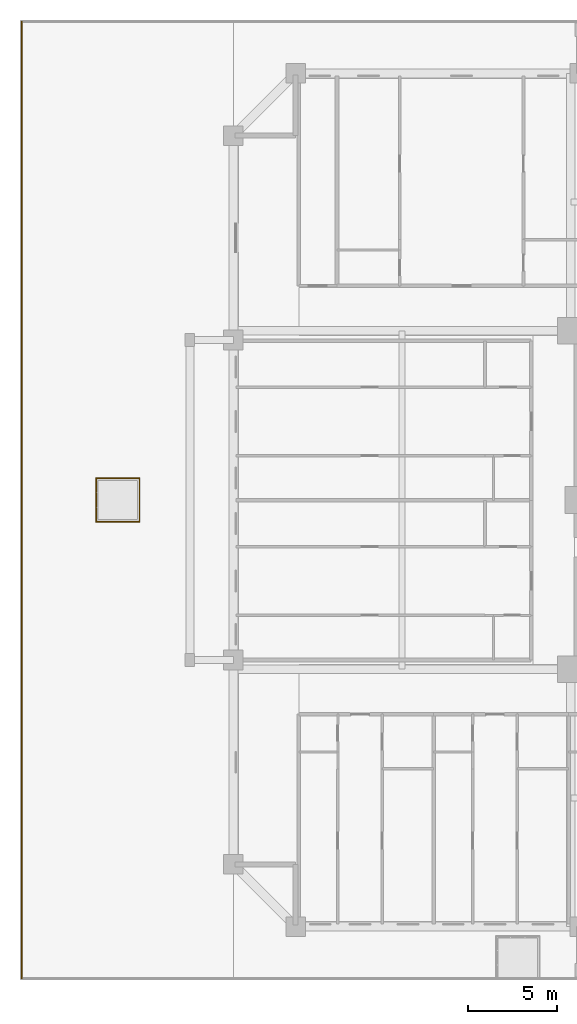
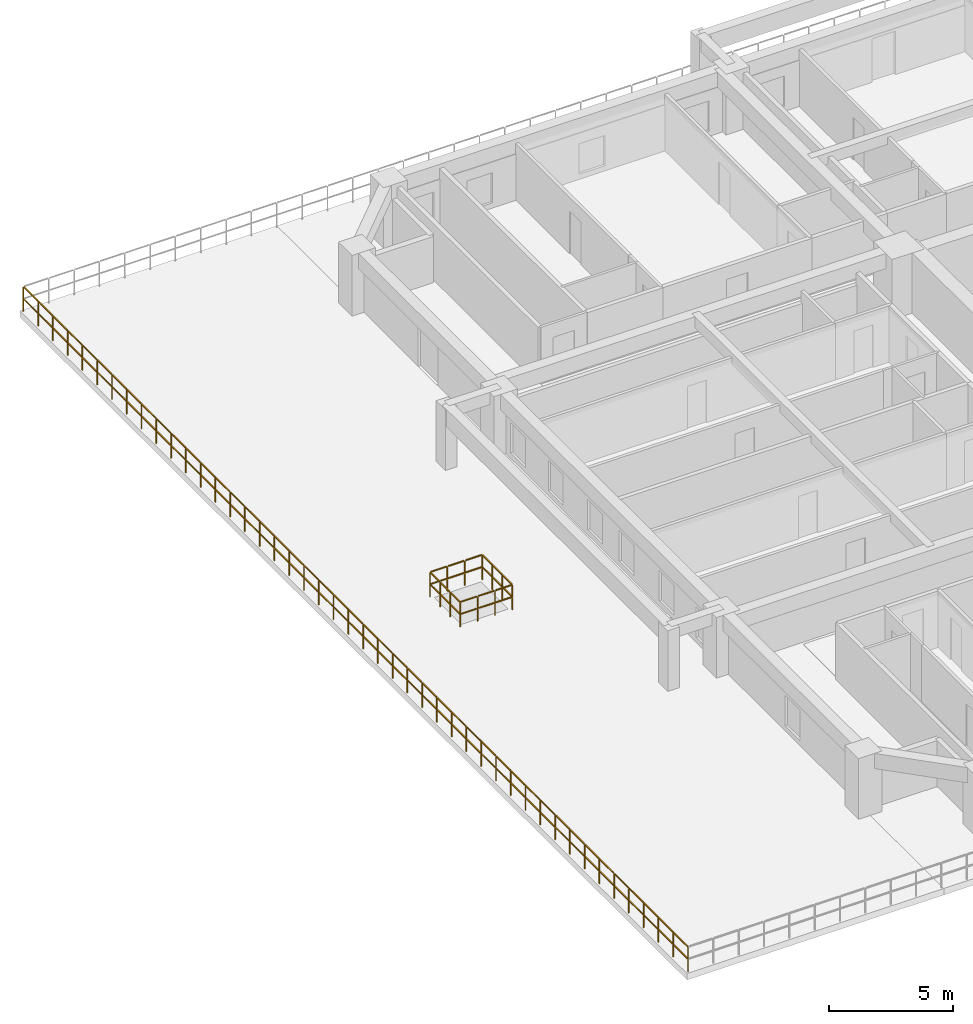
# One storey, part 13 of 19: 5 railings.
"""IFC4 building model written with IfcOpenShell, lengths in metres."""

from ifc_helpers import new_model, si_unit, direction, frame, origin, origin_2d, place, context, subcontext, project, spatial, rectangle, extrude, material, type_object, element, save


model = new_model("IFC4")

# Units and contexts
model_context = context("Model", 3, precision=1e-05, world=origin(), true_north=direction((0.0, 1.0)))
body_context = subcontext(model_context, "Body", "Model", "MODEL_VIEW")
ifc_project = project(units=[si_unit("LENGTHUNIT", "METRE"), si_unit("AREAUNIT", "SQUARE_METRE"), si_unit("VOLUMEUNIT", "CUBIC_METRE"), si_unit("PLANEANGLEUNIT", "RADIAN"), si_unit("MASSUNIT", "GRAM", prefix="KILO")], contexts=[model_context])

# Site, building, storey
site_placement = place(None, origin())
site = spatial("IfcSite", under=ifc_project, at=site_placement, CompositionType="ELEMENT")
building_placement = place(site_placement, origin())
building = spatial("IfcBuilding", under=site, at=building_placement, Name="Saelheon Loggia Tower", CompositionType="ELEMENT")
storey_placement = place(building_placement, frame((0.0, 0.0, 19.39990234375)))
storey = spatial("IfcBuildingStorey", under=building, at=storey_placement, Name="L05", CompositionType="ELEMENT", Elevation=19.39990234375)

# Railings
ifc_material = material(Name="Stainless Steel 316L Post and Laminated Glass Guardrail", Category="steel")
railing_type = type_object("IfcRailingType", Name="Guard_Terrace_1250", PredefinedType="GUARDRAIL", material=ifc_material)
railing_1_placement = place(storey_placement, frame((0.10009765625, 0.10009765625, 0.0)))
element("IfcRailing", 1, at=railing_1_placement, inside=storey, type_object=railing_type, Name="L05 Raised Garden West Perimeter Guardrail", PredefinedType="GUARDRAIL", context=body_context, shape_type="SweptSolid", body=[
    extrude(rectangle(XDim=0.048095703125, YDim=0.048095703125, at=origin_2d()), frame((0.0, 0.033203125, 1.22607421875), z_axis=(0.0, 1.0, 0.0), x_axis=(-1.0, 0.0, 0.0)), (0.0, 0.0, 1.0), 1.129150390625),
    extrude(rectangle(XDim=0.048095703125, YDim=0.048095703125, at=origin_2d()), frame((0.0, 0.033203125, 0.625), z_axis=(0.0, 1.0, 0.0), x_axis=(-1.0, 0.0, 0.0)), (0.0, 0.0, 1.0), 1.129150390625),
    extrude(rectangle(XDim=0.048095703125, YDim=0.048095703125, at=origin_2d()), frame((0.0, 1.228759765625, 1.22607421875), z_axis=(0.0, 1.0, 0.0), x_axis=(-1.0, 0.0, 0.0)), (0.0, 0.0, 1.0), 1.129150390625),
    extrude(rectangle(XDim=0.048095703125, YDim=0.048095703125, at=origin_2d()), frame((0.0, 1.228759765625, 0.625), z_axis=(0.0, 1.0, 0.0), x_axis=(-1.0, 0.0, 0.0)), (0.0, 0.0, 1.0), 1.129150390625),
    extrude(rectangle(XDim=0.048095703125, YDim=0.048095703125, at=origin_2d()), frame((0.0, 2.42431640625, 1.22607421875), z_axis=(0.0, 1.0, 0.0), x_axis=(-1.0, 0.0, 0.0)), (0.0, 0.0, 1.0), 1.129150390625),
    extrude(rectangle(XDim=0.048095703125, YDim=0.048095703125, at=origin_2d()), frame((0.0, 2.42431640625, 0.625), z_axis=(0.0, 1.0, 0.0), x_axis=(-1.0, 0.0, 0.0)), (0.0, 0.0, 1.0), 1.129150390625),
    extrude(rectangle(XDim=0.048095703125, YDim=0.048095703125, at=origin_2d()), frame((0.0, 3.619873046875, 1.22607421875), z_axis=(0.0, 1.0, 0.0), x_axis=(-1.0, 0.0, 0.0)), (0.0, 0.0, 1.0), 1.129150390625),
    extrude(rectangle(XDim=0.048095703125, YDim=0.048095703125, at=origin_2d()), frame((0.0, 3.619873046875, 0.625), z_axis=(0.0, 1.0, 0.0), x_axis=(-1.0, 0.0, 0.0)), (0.0, 0.0, 1.0), 1.129150390625),
    extrude(rectangle(XDim=0.048095703125, YDim=0.048095703125, at=origin_2d()), frame((0.0, 4.8154296875, 1.22607421875), z_axis=(0.0, 1.0, 0.0), x_axis=(-1.0, 0.0, 0.0)), (0.0, 0.0, 1.0), 1.129150390625),
    extrude(rectangle(XDim=0.048095703125, YDim=0.048095703125, at=origin_2d()), frame((0.0, 4.8154296875, 0.625), z_axis=(0.0, 1.0, 0.0), x_axis=(-1.0, 0.0, 0.0)), (0.0, 0.0, 1.0), 1.129150390625),
    extrude(rectangle(XDim=0.048095703125, YDim=0.048095703125, at=origin_2d()), frame((0.0, 6.010986328125, 1.22607421875), z_axis=(0.0, 1.0, 0.0), x_axis=(-1.0, 0.0, 0.0)), (0.0, 0.0, 1.0), 1.129150390625),
    extrude(rectangle(XDim=0.048095703125, YDim=0.048095703125, at=origin_2d()), frame((0.0, 6.010986328125, 0.625), z_axis=(0.0, 1.0, 0.0), x_axis=(-1.0, 0.0, 0.0)), (0.0, 0.0, 1.0), 1.129150390625),
    extrude(rectangle(XDim=0.048095703125, YDim=0.048095703125, at=origin_2d()), frame((0.0, 7.20654296875, 1.22607421875), z_axis=(0.0, 1.0, 0.0), x_axis=(-1.0, 0.0, 0.0)), (0.0, 0.0, 1.0), 1.129150390625),
    extrude(rectangle(XDim=0.048095703125, YDim=0.048095703125, at=origin_2d()), frame((0.0, 7.20654296875, 0.625), z_axis=(0.0, 1.0, 0.0), x_axis=(-1.0, 0.0, 0.0)), (0.0, 0.0, 1.0), 1.129150390625),
    extrude(rectangle(XDim=0.048095703125, YDim=0.048095703125, at=origin_2d()), frame((0.0, 8.402099609375, 1.22607421875), z_axis=(0.0, 1.0, 0.0), x_axis=(-1.0, 0.0, 0.0)), (0.0, 0.0, 1.0), 1.129150390625),
    extrude(rectangle(XDim=0.048095703125, YDim=0.048095703125, at=origin_2d()), frame((0.0, 8.402099609375, 0.625), z_axis=(0.0, 1.0, 0.0), x_axis=(-1.0, 0.0, 0.0)), (0.0, 0.0, 1.0), 1.129150390625),
    extrude(rectangle(XDim=0.048095703125, YDim=0.048095703125, at=origin_2d()), frame((0.0, 9.59765625, 1.22607421875), z_axis=(0.0, 1.0, 0.0), x_axis=(-1.0, 0.0, 0.0)), (0.0, 0.0, 1.0), 1.129150390625),
    extrude(rectangle(XDim=0.048095703125, YDim=0.048095703125, at=origin_2d()), frame((0.0, 9.59765625, 0.625), z_axis=(0.0, 1.0, 0.0), x_axis=(-1.0, 0.0, 0.0)), (0.0, 0.0, 1.0), 1.129150390625),
    extrude(rectangle(XDim=0.048095703125, YDim=0.048095703125, at=origin_2d()), frame((0.0, 10.793212890625, 1.22607421875), z_axis=(0.0, 1.0, 0.0), x_axis=(-1.0, 0.0, 0.0)), (0.0, 0.0, 1.0), 1.129150390625),
    extrude(rectangle(XDim=0.048095703125, YDim=0.048095703125, at=origin_2d()), frame((0.0, 10.793212890625, 0.625), z_axis=(0.0, 1.0, 0.0), x_axis=(-1.0, 0.0, 0.0)), (0.0, 0.0, 1.0), 1.129150390625),
    extrude(rectangle(XDim=0.048095703125, YDim=0.048095703125, at=origin_2d()), frame((0.0, 11.98876953125, 1.22607421875), z_axis=(0.0, 1.0, 0.0), x_axis=(-1.0, 0.0, 0.0)), (0.0, 0.0, 1.0), 1.129150390625),
    extrude(rectangle(XDim=0.048095703125, YDim=0.048095703125, at=origin_2d()), frame((0.0, 11.98876953125, 0.625), z_axis=(0.0, 1.0, 0.0), x_axis=(-1.0, 0.0, 0.0)), (0.0, 0.0, 1.0), 1.129150390625),
    extrude(rectangle(XDim=0.048095703125, YDim=0.048095703125, at=origin_2d()), frame((0.0, 13.184326171875, 1.22607421875), z_axis=(0.0, 1.0, 0.0), x_axis=(-1.0, 0.0, 0.0)), (0.0, 0.0, 1.0), 1.129150390625),
    extrude(rectangle(XDim=0.048095703125, YDim=0.048095703125, at=origin_2d()), frame((0.0, 13.184326171875, 0.625), z_axis=(0.0, 1.0, 0.0), x_axis=(-1.0, 0.0, 0.0)), (0.0, 0.0, 1.0), 1.129150390625),
    extrude(rectangle(XDim=0.048095703125, YDim=0.048095703125, at=origin_2d()), frame((0.0, 14.3798828125, 1.22607421875), z_axis=(0.0, 1.0, 0.0), x_axis=(-1.0, 0.0, 0.0)), (0.0, 0.0, 1.0), 1.129150390625),
    extrude(rectangle(XDim=0.048095703125, YDim=0.048095703125, at=origin_2d()), frame((0.0, 14.3798828125, 0.625), z_axis=(0.0, 1.0, 0.0), x_axis=(-1.0, 0.0, 0.0)), (0.0, 0.0, 1.0), 1.129150390625),
    extrude(rectangle(XDim=0.048095703125, YDim=0.048095703125, at=origin_2d()), frame((0.0, 15.575439453125, 1.22607421875), z_axis=(0.0, 1.0, 0.0), x_axis=(-1.0, 0.0, 0.0)), (0.0, 0.0, 1.0), 1.129150390625),
    extrude(rectangle(XDim=0.048095703125, YDim=0.048095703125, at=origin_2d()), frame((0.0, 15.575439453125, 0.625), z_axis=(0.0, 1.0, 0.0), x_axis=(-1.0, 0.0, 0.0)), (0.0, 0.0, 1.0), 1.129150390625),
    extrude(rectangle(XDim=0.048095703125, YDim=0.048095703125, at=origin_2d()), frame((0.0, 16.77099609375, 1.22607421875), z_axis=(0.0, 1.0, 0.0), x_axis=(-1.0, 0.0, 0.0)), (0.0, 0.0, 1.0), 1.129150390625),
    extrude(rectangle(XDim=0.048095703125, YDim=0.048095703125, at=origin_2d()), frame((0.0, 16.77099609375, 0.625), z_axis=(0.0, 1.0, 0.0), x_axis=(-1.0, 0.0, 0.0)), (0.0, 0.0, 1.0), 1.129150390625),
    extrude(rectangle(XDim=0.048095703125, YDim=0.048095703125, at=origin_2d()), frame((0.0, 17.966552734375, 1.22607421875), z_axis=(0.0, 1.0, 0.0), x_axis=(-1.0, 0.0, 0.0)), (0.0, 0.0, 1.0), 1.129150390625),
    extrude(rectangle(XDim=0.048095703125, YDim=0.048095703125, at=origin_2d()), frame((0.0, 17.966552734375, 0.625), z_axis=(0.0, 1.0, 0.0), x_axis=(-1.0, 0.0, 0.0)), (0.0, 0.0, 1.0), 1.129150390625),
    extrude(rectangle(XDim=0.048095703125, YDim=0.048095703125, at=origin_2d()), frame((0.0, 19.162109375, 1.22607421875), z_axis=(0.0, 1.0, 0.0), x_axis=(-1.0, 0.0, 0.0)), (0.0, 0.0, 1.0), 1.129150390625),
    extrude(rectangle(XDim=0.048095703125, YDim=0.048095703125, at=origin_2d()), frame((0.0, 19.162109375, 0.625), z_axis=(0.0, 1.0, 0.0), x_axis=(-1.0, 0.0, 0.0)), (0.0, 0.0, 1.0), 1.129150390625),
    extrude(rectangle(XDim=0.048095703125, YDim=0.048095703125, at=origin_2d()), frame((0.0, 20.357666015625, 1.22607421875), z_axis=(0.0, 1.0, 0.0), x_axis=(-1.0, 0.0, 0.0)), (0.0, 0.0, 1.0), 1.129150390625),
    extrude(rectangle(XDim=0.048095703125, YDim=0.048095703125, at=origin_2d()), frame((0.0, 20.357666015625, 0.625), z_axis=(0.0, 1.0, 0.0), x_axis=(-1.0, 0.0, 0.0)), (0.0, 0.0, 1.0), 1.129150390625),
    extrude(rectangle(XDim=0.048095703125, YDim=0.048095703125, at=origin_2d()), frame((0.0, 21.55322265625, 1.22607421875), z_axis=(0.0, 1.0, 0.0), x_axis=(-1.0, 0.0, 0.0)), (0.0, 0.0, 1.0), 1.129150390625),
    extrude(rectangle(XDim=0.048095703125, YDim=0.048095703125, at=origin_2d()), frame((0.0, 21.55322265625, 0.625), z_axis=(0.0, 1.0, 0.0), x_axis=(-1.0, 0.0, 0.0)), (0.0, 0.0, 1.0), 1.129150390625),
    extrude(rectangle(XDim=0.048095703125, YDim=0.048095703125, at=origin_2d()), frame((0.0, 22.748779296875, 1.22607421875), z_axis=(0.0, 1.0, 0.0), x_axis=(-1.0, 0.0, 0.0)), (0.0, 0.0, 1.0), 1.129150390625),
    extrude(rectangle(XDim=0.048095703125, YDim=0.048095703125, at=origin_2d()), frame((0.0, 22.748779296875, 0.625), z_axis=(0.0, 1.0, 0.0), x_axis=(-1.0, 0.0, 0.0)), (0.0, 0.0, 1.0), 1.129150390625),
    extrude(rectangle(XDim=0.048095703125, YDim=0.048095703125, at=origin_2d()), frame((0.0, 23.9443359375, 1.22607421875), z_axis=(0.0, 1.0, 0.0), x_axis=(-1.0, 0.0, 0.0)), (0.0, 0.0, 1.0), 1.129150390625),
    extrude(rectangle(XDim=0.048095703125, YDim=0.048095703125, at=origin_2d()), frame((0.0, 23.9443359375, 0.625), z_axis=(0.0, 1.0, 0.0), x_axis=(-1.0, 0.0, 0.0)), (0.0, 0.0, 1.0), 1.129150390625),
    extrude(rectangle(XDim=0.048095703125, YDim=0.048095703125, at=origin_2d()), frame((0.0, 25.139892578125, 1.22607421875), z_axis=(0.0, 1.0, 0.0), x_axis=(-1.0, 0.0, 0.0)), (0.0, 0.0, 1.0), 1.129150390625),
    extrude(rectangle(XDim=0.048095703125, YDim=0.048095703125, at=origin_2d()), frame((0.0, 25.139892578125, 0.625), z_axis=(0.0, 1.0, 0.0), x_axis=(-1.0, 0.0, 0.0)), (0.0, 0.0, 1.0), 1.129150390625),
    extrude(rectangle(XDim=0.048095703125, YDim=0.048095703125, at=origin_2d()), frame((0.0, 26.33544921875, 1.22607421875), z_axis=(0.0, 1.0, 0.0), x_axis=(-1.0, 0.0, 0.0)), (0.0, 0.0, 1.0), 1.129150390625),
    extrude(rectangle(XDim=0.048095703125, YDim=0.048095703125, at=origin_2d()), frame((0.0, 26.33544921875, 0.625), z_axis=(0.0, 1.0, 0.0), x_axis=(-1.0, 0.0, 0.0)), (0.0, 0.0, 1.0), 1.129150390625),
    extrude(rectangle(XDim=0.048095703125, YDim=0.048095703125, at=origin_2d()), frame((0.0, 27.531005859375, 1.22607421875), z_axis=(0.0, 1.0, 0.0), x_axis=(-1.0, 0.0, 0.0)), (0.0, 0.0, 1.0), 1.129150390625),
    extrude(rectangle(XDim=0.048095703125, YDim=0.048095703125, at=origin_2d()), frame((0.0, 27.531005859375, 0.625), z_axis=(0.0, 1.0, 0.0), x_axis=(-1.0, 0.0, 0.0)), (0.0, 0.0, 1.0), 1.129150390625),
    extrude(rectangle(XDim=0.048095703125, YDim=0.048095703125, at=origin_2d()), frame((0.0, 28.7265625, 1.22607421875), z_axis=(0.0, 1.0, 0.0), x_axis=(-1.0, 0.0, 0.0)), (0.0, 0.0, 1.0), 1.129150390625),
    extrude(rectangle(XDim=0.048095703125, YDim=0.048095703125, at=origin_2d()), frame((0.0, 28.7265625, 0.625), z_axis=(0.0, 1.0, 0.0), x_axis=(-1.0, 0.0, 0.0)), (0.0, 0.0, 1.0), 1.129150390625),
    extrude(rectangle(XDim=0.048095703125, YDim=0.048095703125, at=origin_2d()), frame((0.0, 29.922119140625, 1.22607421875), z_axis=(0.0, 1.0, 0.0), x_axis=(-1.0, 0.0, 0.0)), (0.0, 0.0, 1.0), 1.129150390625),
    extrude(rectangle(XDim=0.048095703125, YDim=0.048095703125, at=origin_2d()), frame((0.0, 29.922119140625, 0.625), z_axis=(0.0, 1.0, 0.0), x_axis=(-1.0, 0.0, 0.0)), (0.0, 0.0, 1.0), 1.129150390625),
    extrude(rectangle(XDim=0.048095703125, YDim=0.048095703125, at=origin_2d()), frame((0.0, 31.11767578125, 1.22607421875), z_axis=(0.0, 1.0, 0.0), x_axis=(-1.0, 0.0, 0.0)), (0.0, 0.0, 1.0), 1.129150390625),
    extrude(rectangle(XDim=0.048095703125, YDim=0.048095703125, at=origin_2d()), frame((0.0, 31.11767578125, 0.625), z_axis=(0.0, 1.0, 0.0), x_axis=(-1.0, 0.0, 0.0)), (0.0, 0.0, 1.0), 1.129150390625),
    extrude(rectangle(XDim=0.048095703125, YDim=0.048095703125, at=origin_2d()), frame((0.0, 32.313232421875, 1.22607421875), z_axis=(0.0, 1.0, 0.0), x_axis=(-1.0, 0.0, 0.0)), (0.0, 0.0, 1.0), 1.129150390625),
    extrude(rectangle(XDim=0.048095703125, YDim=0.048095703125, at=origin_2d()), frame((0.0, 32.313232421875, 0.625), z_axis=(0.0, 1.0, 0.0), x_axis=(-1.0, 0.0, 0.0)), (0.0, 0.0, 1.0), 1.129150390625),
    extrude(rectangle(XDim=0.048095703125, YDim=0.048095703125, at=origin_2d()), frame((0.0, 33.5087890625, 1.22607421875), z_axis=(0.0, 1.0, 0.0), x_axis=(-1.0, 0.0, 0.0)), (0.0, 0.0, 1.0), 1.129150390625),
    extrude(rectangle(XDim=0.048095703125, YDim=0.048095703125, at=origin_2d()), frame((0.0, 33.5087890625, 0.625), z_axis=(0.0, 1.0, 0.0), x_axis=(-1.0, 0.0, 0.0)), (0.0, 0.0, 1.0), 1.129150390625),
    extrude(rectangle(XDim=0.048095703125, YDim=0.048095703125, at=origin_2d()), frame((0.0, 34.7041015625, 1.22607421875), z_axis=(0.0, 1.0, 0.0), x_axis=(-1.0, 0.0, 0.0)), (0.0, 0.0, 1.0), 1.129150390625),
    extrude(rectangle(XDim=0.048095703125, YDim=0.048095703125, at=origin_2d()), frame((0.0, 34.7041015625, 0.625), z_axis=(0.0, 1.0, 0.0), x_axis=(-1.0, 0.0, 0.0)), (0.0, 0.0, 1.0), 1.129150390625),
    extrude(rectangle(XDim=0.048095703125, YDim=0.048095703125, at=origin_2d()), frame((0.0, 35.899658203125, 1.22607421875), z_axis=(0.0, 1.0, 0.0), x_axis=(-1.0, 0.0, 0.0)), (0.0, 0.0, 1.0), 1.129150390625),
    extrude(rectangle(XDim=0.048095703125, YDim=0.048095703125, at=origin_2d()), frame((0.0, 35.899658203125, 0.625), z_axis=(0.0, 1.0, 0.0), x_axis=(-1.0, 0.0, 0.0)), (0.0, 0.0, 1.0), 1.129150390625),
    extrude(rectangle(XDim=0.048095703125, YDim=0.048095703125, at=origin_2d()), frame((0.0, 37.09521484375, 1.22607421875), z_axis=(0.0, 1.0, 0.0), x_axis=(-1.0, 0.0, 0.0)), (0.0, 0.0, 1.0), 1.129150390625),
    extrude(rectangle(XDim=0.048095703125, YDim=0.048095703125, at=origin_2d()), frame((0.0, 37.09521484375, 0.625), z_axis=(0.0, 1.0, 0.0), x_axis=(-1.0, 0.0, 0.0)), (0.0, 0.0, 1.0), 1.129150390625),
    extrude(rectangle(XDim=0.048095703125, YDim=0.048095703125, at=origin_2d()), frame((0.0, 38.290771484375, 1.22607421875), z_axis=(0.0, 1.0, 0.0), x_axis=(-1.0, 0.0, 0.0)), (0.0, 0.0, 1.0), 1.129150390625),
    extrude(rectangle(XDim=0.048095703125, YDim=0.048095703125, at=origin_2d()), frame((0.0, 38.290771484375, 0.625), z_axis=(0.0, 1.0, 0.0), x_axis=(-1.0, 0.0, 0.0)), (0.0, 0.0, 1.0), 1.129150390625),
    extrude(rectangle(XDim=0.048095703125, YDim=0.048095703125, at=origin_2d()), frame((0.0, 39.486328125, 1.22607421875), z_axis=(0.0, 1.0, 0.0), x_axis=(-1.0, 0.0, 0.0)), (0.0, 0.0, 1.0), 1.129150390625),
    extrude(rectangle(XDim=0.048095703125, YDim=0.048095703125, at=origin_2d()), frame((0.0, 39.486328125, 0.625), z_axis=(0.0, 1.0, 0.0), x_axis=(-1.0, 0.0, 0.0)), (0.0, 0.0, 1.0), 1.129150390625),
    extrude(rectangle(XDim=0.048095703125, YDim=0.048095703125, at=origin_2d()), frame((0.0, 40.681884765625, 1.22607421875), z_axis=(0.0, 1.0, 0.0), x_axis=(-1.0, 0.0, 0.0)), (0.0, 0.0, 1.0), 1.129150390625),
    extrude(rectangle(XDim=0.048095703125, YDim=0.048095703125, at=origin_2d()), frame((0.0, 40.681884765625, 0.625), z_axis=(0.0, 1.0, 0.0), x_axis=(-1.0, 0.0, 0.0)), (0.0, 0.0, 1.0), 1.129150390625),
    extrude(rectangle(XDim=0.048095703125, YDim=0.048095703125, at=origin_2d()), frame((0.0, 41.87744140625, 1.22607421875), z_axis=(0.0, 1.0, 0.0), x_axis=(-1.0, 0.0, 0.0)), (0.0, 0.0, 1.0), 1.129150390625),
    extrude(rectangle(XDim=0.048095703125, YDim=0.048095703125, at=origin_2d()), frame((0.0, 41.87744140625, 0.625), z_axis=(0.0, 1.0, 0.0), x_axis=(-1.0, 0.0, 0.0)), (0.0, 0.0, 1.0), 1.129150390625),
    extrude(rectangle(XDim=0.048095703125, YDim=0.048095703125, at=origin_2d()), frame((0.0, 43.072998046875, 1.22607421875), z_axis=(0.0, 1.0, 0.0), x_axis=(-1.0, 0.0, 0.0)), (0.0, 0.0, 1.0), 1.129150390625),
    extrude(rectangle(XDim=0.048095703125, YDim=0.048095703125, at=origin_2d()), frame((0.0, 43.072998046875, 0.625), z_axis=(0.0, 1.0, 0.0), x_axis=(-1.0, 0.0, 0.0)), (0.0, 0.0, 1.0), 1.129150390625),
    extrude(rectangle(XDim=0.048095703125, YDim=0.048095703125, at=origin_2d()), frame((0.0, 44.2685546875, 1.22607421875), z_axis=(0.0, 1.0, 0.0), x_axis=(-1.0, 0.0, 0.0)), (0.0, 0.0, 1.0), 1.129150390625),
    extrude(rectangle(XDim=0.048095703125, YDim=0.048095703125, at=origin_2d()), frame((0.0, 44.2685546875, 0.625), z_axis=(0.0, 1.0, 0.0), x_axis=(-1.0, 0.0, 0.0)), (0.0, 0.0, 1.0), 1.129150390625),
    extrude(rectangle(XDim=0.048095703125, YDim=0.048095703125, at=origin_2d()), frame((0.0, 45.464111328125, 1.22607421875), z_axis=(0.0, 1.0, 0.0), x_axis=(-1.0, 0.0, 0.0)), (0.0, 0.0, 1.0), 1.129150390625),
    extrude(rectangle(XDim=0.048095703125, YDim=0.048095703125, at=origin_2d()), frame((0.0, 45.464111328125, 0.625), z_axis=(0.0, 1.0, 0.0), x_axis=(-1.0, 0.0, 0.0)), (0.0, 0.0, 1.0), 1.129150390625),
    extrude(rectangle(XDim=0.048095703125, YDim=0.048095703125, at=origin_2d()), frame((0.0, 46.65966796875, 1.22607421875), z_axis=(0.0, 1.0, 0.0), x_axis=(-1.0, 0.0, 0.0)), (0.0, 0.0, 1.0), 1.129150390625),
    extrude(rectangle(XDim=0.048095703125, YDim=0.048095703125, at=origin_2d()), frame((0.0, 46.65966796875, 0.625), z_axis=(0.0, 1.0, 0.0), x_axis=(-1.0, 0.0, 0.0)), (0.0, 0.0, 1.0), 1.129150390625),
    extrude(rectangle(XDim=0.048095703125, YDim=0.048095703125, at=origin_2d()), frame((0.0, 47.855224609375, 1.22607421875), z_axis=(0.0, 1.0, 0.0), x_axis=(-1.0, 0.0, 0.0)), (0.0, 0.0, 1.0), 1.129150390625),
    extrude(rectangle(XDim=0.048095703125, YDim=0.048095703125, at=origin_2d()), frame((0.0, 47.855224609375, 0.625), z_axis=(0.0, 1.0, 0.0), x_axis=(-1.0, 0.0, 0.0)), (0.0, 0.0, 1.0), 1.129150390625),
    extrude(rectangle(XDim=0.048095703125, YDim=0.048095703125, at=origin_2d()), frame((0.0, 49.05078125, 1.22607421875), z_axis=(0.0, 1.0, 0.0), x_axis=(-1.0, 0.0, 0.0)), (0.0, 0.0, 1.0), 1.129150390625),
    extrude(rectangle(XDim=0.048095703125, YDim=0.048095703125, at=origin_2d()), frame((0.0, 49.05078125, 0.625), z_axis=(0.0, 1.0, 0.0), x_axis=(-1.0, 0.0, 0.0)), (0.0, 0.0, 1.0), 1.129150390625),
    extrude(rectangle(XDim=0.048095703125, YDim=0.048095703125, at=origin_2d()), frame((0.0, 50.246337890625, 1.22607421875), z_axis=(0.0, 1.0, 0.0), x_axis=(-1.0, 0.0, 0.0)), (0.0, 0.0, 1.0), 1.129150390625),
    extrude(rectangle(XDim=0.048095703125, YDim=0.048095703125, at=origin_2d()), frame((0.0, 50.246337890625, 0.625), z_axis=(0.0, 1.0, 0.0), x_axis=(-1.0, 0.0, 0.0)), (0.0, 0.0, 1.0), 1.129150390625),
    extrude(rectangle(XDim=0.048095703125, YDim=0.048095703125, at=origin_2d()), frame((0.0, 51.44189453125, 1.22607421875), z_axis=(0.0, 1.0, 0.0), x_axis=(-1.0, 0.0, 0.0)), (0.0, 0.0, 1.0), 1.129150390625),
    extrude(rectangle(XDim=0.048095703125, YDim=0.048095703125, at=origin_2d()), frame((0.0, 51.44189453125, 0.625), z_axis=(0.0, 1.0, 0.0), x_axis=(-1.0, 0.0, 0.0)), (0.0, 0.0, 1.0), 1.129150390625),
    extrude(rectangle(XDim=0.048095703125, YDim=0.048095703125, at=origin_2d()), frame((0.0, 52.637451171875, 1.22607421875), z_axis=(0.0, 1.0, 0.0), x_axis=(-1.0, 0.0, 0.0)), (0.0, 0.0, 1.0), 1.129150390625),
    extrude(rectangle(XDim=0.048095703125, YDim=0.048095703125, at=origin_2d()), frame((0.0, 52.637451171875, 0.625), z_axis=(0.0, 1.0, 0.0), x_axis=(-1.0, 0.0, 0.0)), (0.0, 0.0, 1.0), 1.129150390625),
    extrude(rectangle(XDim=0.0419921875, YDim=0.0419921875, at=origin_2d()), origin(), (0.0, 0.0, 1.0), 1.197998046875),
    extrude(rectangle(XDim=0.0419921875, YDim=0.0419921875, at=origin_2d()), frame((0.0, 1.195556640625, 0.0)), (0.0, 0.0, 1.0), 1.197998046875),
    extrude(rectangle(XDim=0.0419921875, YDim=0.0419921875, at=origin_2d()), frame((0.0, 2.39111328125, 0.0)), (0.0, 0.0, 1.0), 1.197998046875),
    extrude(rectangle(XDim=0.0419921875, YDim=0.0419921875, at=origin_2d()), frame((0.0, 3.586669921875, 0.0)), (0.0, 0.0, 1.0), 1.197998046875),
    extrude(rectangle(XDim=0.0419921875, YDim=0.0419921875, at=origin_2d()), frame((0.0, 4.7822265625, 0.0)), (0.0, 0.0, 1.0), 1.197998046875),
    extrude(rectangle(XDim=0.0419921875, YDim=0.0419921875, at=origin_2d()), frame((0.0, 5.977783203125, 0.0)), (0.0, 0.0, 1.0), 1.197998046875),
    extrude(rectangle(XDim=0.0419921875, YDim=0.0419921875, at=origin_2d()), frame((0.0, 7.17333984375, 0.0)), (0.0, 0.0, 1.0), 1.197998046875),
    extrude(rectangle(XDim=0.0419921875, YDim=0.0419921875, at=origin_2d()), frame((0.0, 8.368896484375, 0.0)), (0.0, 0.0, 1.0), 1.197998046875),
    extrude(rectangle(XDim=0.0419921875, YDim=0.0419921875, at=origin_2d()), frame((0.0, 9.564453125, 0.0)), (0.0, 0.0, 1.0), 1.197998046875),
    extrude(rectangle(XDim=0.0419921875, YDim=0.0419921875, at=origin_2d()), frame((0.0, 10.760009765625, 0.0)), (0.0, 0.0, 1.0), 1.197998046875),
    extrude(rectangle(XDim=0.0419921875, YDim=0.0419921875, at=origin_2d()), frame((0.0, 11.95556640625, 0.0)), (0.0, 0.0, 1.0), 1.197998046875),
    extrude(rectangle(XDim=0.0419921875, YDim=0.0419921875, at=origin_2d()), frame((0.0, 13.151123046875, 0.0)), (0.0, 0.0, 1.0), 1.197998046875),
    extrude(rectangle(XDim=0.0419921875, YDim=0.0419921875, at=origin_2d()), frame((0.0, 14.3466796875, 0.0)), (0.0, 0.0, 1.0), 1.197998046875),
    extrude(rectangle(XDim=0.0419921875, YDim=0.0419921875, at=origin_2d()), frame((0.0, 15.542236328125, 0.0)), (0.0, 0.0, 1.0), 1.197998046875),
    extrude(rectangle(XDim=0.0419921875, YDim=0.0419921875, at=origin_2d()), frame((0.0, 16.73779296875, 0.0)), (0.0, 0.0, 1.0), 1.197998046875),
    extrude(rectangle(XDim=0.0419921875, YDim=0.0419921875, at=origin_2d()), frame((0.0, 17.933349609375, 0.0)), (0.0, 0.0, 1.0), 1.197998046875),
    extrude(rectangle(XDim=0.0419921875, YDim=0.0419921875, at=origin_2d()), frame((0.0, 19.12890625, 0.0)), (0.0, 0.0, 1.0), 1.197998046875),
    extrude(rectangle(XDim=0.0419921875, YDim=0.0419921875, at=origin_2d()), frame((0.0, 20.324462890625, 0.0)), (0.0, 0.0, 1.0), 1.197998046875),
    extrude(rectangle(XDim=0.0419921875, YDim=0.0419921875, at=origin_2d()), frame((0.0, 21.52001953125, 0.0)), (0.0, 0.0, 1.0), 1.197998046875),
    extrude(rectangle(XDim=0.0419921875, YDim=0.0419921875, at=origin_2d()), frame((0.0, 22.715576171875, 0.0)), (0.0, 0.0, 1.0), 1.197998046875),
    extrude(rectangle(XDim=0.0419921875, YDim=0.0419921875, at=origin_2d()), frame((0.0, 23.9111328125, 0.0)), (0.0, 0.0, 1.0), 1.197998046875),
    extrude(rectangle(XDim=0.0419921875, YDim=0.0419921875, at=origin_2d()), frame((0.0, 25.106689453125, 0.0)), (0.0, 0.0, 1.0), 1.197998046875),
    extrude(rectangle(XDim=0.0419921875, YDim=0.0419921875, at=origin_2d()), frame((0.0, 26.30224609375, 0.0)), (0.0, 0.0, 1.0), 1.197998046875),
    extrude(rectangle(XDim=0.0419921875, YDim=0.0419921875, at=origin_2d()), frame((0.0, 27.49755859375, 0.0)), (0.0, 0.0, 1.0), 1.197998046875),
    extrude(rectangle(XDim=0.0419921875, YDim=0.0419921875, at=origin_2d()), frame((0.0, 28.693115234375, 0.0)), (0.0, 0.0, 1.0), 1.197998046875),
    extrude(rectangle(XDim=0.0419921875, YDim=0.0419921875, at=origin_2d()), frame((0.0, 29.888671875, 0.0)), (0.0, 0.0, 1.0), 1.197998046875),
    extrude(rectangle(XDim=0.0419921875, YDim=0.0419921875, at=origin_2d()), frame((0.0, 31.084228515625, 0.0)), (0.0, 0.0, 1.0), 1.197998046875),
    extrude(rectangle(XDim=0.0419921875, YDim=0.0419921875, at=origin_2d()), frame((0.0, 32.27978515625, 0.0)), (0.0, 0.0, 1.0), 1.197998046875),
    extrude(rectangle(XDim=0.0419921875, YDim=0.0419921875, at=origin_2d()), frame((0.0, 33.475341796875, 0.0)), (0.0, 0.0, 1.0), 1.197998046875),
    extrude(rectangle(XDim=0.0419921875, YDim=0.0419921875, at=origin_2d()), frame((0.0, 34.6708984375, 0.0)), (0.0, 0.0, 1.0), 1.197998046875),
    extrude(rectangle(XDim=0.0419921875, YDim=0.0419921875, at=origin_2d()), frame((0.0, 35.866455078125, 0.0)), (0.0, 0.0, 1.0), 1.197998046875),
    extrude(rectangle(XDim=0.0419921875, YDim=0.0419921875, at=origin_2d()), frame((0.0, 37.06201171875, 0.0)), (0.0, 0.0, 1.0), 1.197998046875),
    extrude(rectangle(XDim=0.0419921875, YDim=0.0419921875, at=origin_2d()), frame((0.0, 38.257568359375, 0.0)), (0.0, 0.0, 1.0), 1.197998046875),
    extrude(rectangle(XDim=0.0419921875, YDim=0.0419921875, at=origin_2d()), frame((0.0, 39.453125, 0.0)), (0.0, 0.0, 1.0), 1.197998046875),
    extrude(rectangle(XDim=0.0419921875, YDim=0.0419921875, at=origin_2d()), frame((0.0, 40.648681640625, 0.0)), (0.0, 0.0, 1.0), 1.197998046875),
    extrude(rectangle(XDim=0.0419921875, YDim=0.0419921875, at=origin_2d()), frame((0.0, 41.84423828125, 0.0)), (0.0, 0.0, 1.0), 1.197998046875),
    extrude(rectangle(XDim=0.0419921875, YDim=0.0419921875, at=origin_2d()), frame((0.0, 43.039794921875, 0.0)), (0.0, 0.0, 1.0), 1.197998046875),
    extrude(rectangle(XDim=0.0419921875, YDim=0.0419921875, at=origin_2d()), frame((0.0, 44.2353515625, 0.0)), (0.0, 0.0, 1.0), 1.197998046875),
    extrude(rectangle(XDim=0.0419921875, YDim=0.0419921875, at=origin_2d()), frame((0.0, 45.430908203125, 0.0)), (0.0, 0.0, 1.0), 1.197998046875),
    extrude(rectangle(XDim=0.0419921875, YDim=0.0419921875, at=origin_2d()), frame((0.0, 46.62646484375, 0.0)), (0.0, 0.0, 1.0), 1.197998046875),
    extrude(rectangle(XDim=0.0419921875, YDim=0.0419921875, at=origin_2d()), frame((0.0, 47.822021484375, 0.0)), (0.0, 0.0, 1.0), 1.197998046875),
    extrude(rectangle(XDim=0.0419921875, YDim=0.0419921875, at=origin_2d()), frame((0.0, 49.017578125, 0.0)), (0.0, 0.0, 1.0), 1.197998046875),
    extrude(rectangle(XDim=0.0419921875, YDim=0.0419921875, at=origin_2d()), frame((0.0, 50.213134765625, 0.0)), (0.0, 0.0, 1.0), 1.197998046875),
    extrude(rectangle(XDim=0.0419921875, YDim=0.0419921875, at=origin_2d()), frame((0.0, 51.40869140625, 0.0)), (0.0, 0.0, 1.0), 1.197998046875),
    extrude(rectangle(XDim=0.0419921875, YDim=0.0419921875, at=origin_2d()), frame((0.0, 52.604248046875, 0.0)), (0.0, 0.0, 1.0), 1.197998046875),
    extrude(rectangle(XDim=0.0419921875, YDim=0.0419921875, at=origin_2d()), frame((0.0, 53.7998046875, 0.0)), (0.0, 0.0, 1.0), 1.197998046875),
])
for number, where, name in (
    (2, (4.280029296875, 25.780029296875, 0.0), "L05 Skylight 1 South Safety Guardrail"),
    (3, (4.280029296875, 28.219970703125, 0.0), "L05 Skylight 1 North Safety Guardrail"),
):
    element("IfcRailing", number, at=place(storey_placement, frame(where)), inside=storey, type_object=railing_type, Name=name, PredefinedType="GUARDRAIL", context=body_context, shape_type="SweptSolid", body=[
        extrude(rectangle(XDim=0.048095703125, YDim=0.048095703125, at=origin_2d()), frame((0.033203125, 0.0, 1.22607421875), z_axis=(1.0, 0.0, 0.0), x_axis=(0.0, 1.0, 0.0)), (0.0, 0.0, 1.0), 0.746826171875),
        extrude(rectangle(XDim=0.048095703125, YDim=0.048095703125, at=origin_2d()), frame((0.033203125, 0.0, 0.625), z_axis=(1.0, 0.0, 0.0), x_axis=(0.0, 1.0, 0.0)), (0.0, 0.0, 1.0), 0.746826171875),
        extrude(rectangle(XDim=0.048095703125, YDim=0.048095703125, at=origin_2d()), frame((0.846435546875, 0.0, 1.22607421875), z_axis=(1.0, 0.0, 0.0), x_axis=(0.0, 1.0, 0.0)), (0.0, 0.0, 1.0), 0.746826171875),
        extrude(rectangle(XDim=0.048095703125, YDim=0.048095703125, at=origin_2d()), frame((0.846435546875, 0.0, 0.625), z_axis=(1.0, 0.0, 0.0), x_axis=(0.0, 1.0, 0.0)), (0.0, 0.0, 1.0), 0.746826171875),
        extrude(rectangle(XDim=0.048095703125, YDim=0.048095703125, at=origin_2d()), frame((1.659912109375, 0.0, 1.22607421875), z_axis=(1.0, 0.0, 0.0), x_axis=(0.0, 1.0, 0.0)), (0.0, 0.0, 1.0), 0.746826171875),
        extrude(rectangle(XDim=0.048095703125, YDim=0.048095703125, at=origin_2d()), frame((1.659912109375, 0.0, 0.625), z_axis=(1.0, 0.0, 0.0), x_axis=(0.0, 1.0, 0.0)), (0.0, 0.0, 1.0), 0.746826171875),
        extrude(rectangle(XDim=0.0419921875, YDim=0.0419921875, at=origin_2d()), origin(), (0.0, 0.0, 1.0), 1.197998046875),
        extrude(rectangle(XDim=0.0419921875, YDim=0.0419921875, at=origin_2d()), frame((0.813232421875, 0.0, 0.0)), (0.0, 0.0, 1.0), 1.197998046875),
        extrude(rectangle(XDim=0.0419921875, YDim=0.0419921875, at=origin_2d()), frame((1.626708984375, 0.0, 0.0)), (0.0, 0.0, 1.0), 1.197998046875),
        extrude(rectangle(XDim=0.0419921875, YDim=0.0419921875, at=origin_2d()), frame((2.43994140625, 0.0, 0.0)), (0.0, 0.0, 1.0), 1.197998046875),
    ])
railing_2_placement = place(storey_placement, frame((4.280029296875, 25.780029296875, 0.0)))
element("IfcRailing", 4, at=railing_2_placement, inside=storey, type_object=railing_type, Name="L05 Skylight 1 West Safety Guardrail", PredefinedType="GUARDRAIL", context=body_context, shape_type="SweptSolid", body=[
    extrude(rectangle(XDim=0.048095703125, YDim=0.048095703125, at=origin_2d()), frame((0.0, 0.033203125, 1.22607421875), z_axis=(0.0, 1.0, 0.0), x_axis=(-1.0, 0.0, 0.0)), (0.0, 0.0, 1.0), 0.746826171875),
    extrude(rectangle(XDim=0.048095703125, YDim=0.048095703125, at=origin_2d()), frame((0.0, 0.033203125, 0.625), z_axis=(0.0, 1.0, 0.0), x_axis=(-1.0, 0.0, 0.0)), (0.0, 0.0, 1.0), 0.746826171875),
    extrude(rectangle(XDim=0.048095703125, YDim=0.048095703125, at=origin_2d()), frame((0.0, 0.846435546875, 1.22607421875), z_axis=(0.0, 1.0, 0.0), x_axis=(-1.0, 0.0, 0.0)), (0.0, 0.0, 1.0), 0.746826171875),
    extrude(rectangle(XDim=0.048095703125, YDim=0.048095703125, at=origin_2d()), frame((0.0, 0.846435546875, 0.625), z_axis=(0.0, 1.0, 0.0), x_axis=(-1.0, 0.0, 0.0)), (0.0, 0.0, 1.0), 0.746826171875),
    extrude(rectangle(XDim=0.048095703125, YDim=0.048095703125, at=origin_2d()), frame((0.0, 1.659912109375, 1.22607421875), z_axis=(0.0, 1.0, 0.0), x_axis=(-1.0, 0.0, 0.0)), (0.0, 0.0, 1.0), 0.746826171875),
    extrude(rectangle(XDim=0.048095703125, YDim=0.048095703125, at=origin_2d()), frame((0.0, 1.659912109375, 0.625), z_axis=(0.0, 1.0, 0.0), x_axis=(-1.0, 0.0, 0.0)), (0.0, 0.0, 1.0), 0.746826171875),
    extrude(rectangle(XDim=0.0419921875, YDim=0.0419921875, at=origin_2d()), origin(), (0.0, 0.0, 1.0), 1.197998046875),
    extrude(rectangle(XDim=0.0419921875, YDim=0.0419921875, at=origin_2d()), frame((0.0, 0.813232421875, 0.0)), (0.0, 0.0, 1.0), 1.197998046875),
    extrude(rectangle(XDim=0.0419921875, YDim=0.0419921875, at=origin_2d()), frame((0.0, 1.626708984375, 0.0)), (0.0, 0.0, 1.0), 1.197998046875),
    extrude(rectangle(XDim=0.0419921875, YDim=0.0419921875, at=origin_2d()), frame((0.0, 2.43994140625, 0.0)), (0.0, 0.0, 1.0), 1.197998046875),
])
railing_3_placement = place(storey_placement, frame((6.719970703125, 25.780029296875, 0.0)))
element("IfcRailing", 5, at=railing_3_placement, inside=storey, type_object=railing_type, Name="L05 Skylight 1 East Safety Guardrail", PredefinedType="GUARDRAIL", context=body_context, shape_type="SweptSolid", body=[
    extrude(rectangle(XDim=0.048095703125, YDim=0.048095703125, at=origin_2d()), frame((0.0, 0.033203125, 1.22607421875), z_axis=(0.0, 1.0, 0.0), x_axis=(-1.0, 0.0, 0.0)), (0.0, 0.0, 1.0), 0.746826171875),
    extrude(rectangle(XDim=0.048095703125, YDim=0.048095703125, at=origin_2d()), frame((0.0, 0.033203125, 0.625), z_axis=(0.0, 1.0, 0.0), x_axis=(-1.0, 0.0, 0.0)), (0.0, 0.0, 1.0), 0.746826171875),
    extrude(rectangle(XDim=0.048095703125, YDim=0.048095703125, at=origin_2d()), frame((0.0, 0.846435546875, 1.22607421875), z_axis=(0.0, 1.0, 0.0), x_axis=(-1.0, 0.0, 0.0)), (0.0, 0.0, 1.0), 0.746826171875),
    extrude(rectangle(XDim=0.048095703125, YDim=0.048095703125, at=origin_2d()), frame((0.0, 0.846435546875, 0.625), z_axis=(0.0, 1.0, 0.0), x_axis=(-1.0, 0.0, 0.0)), (0.0, 0.0, 1.0), 0.746826171875),
    extrude(rectangle(XDim=0.048095703125, YDim=0.048095703125, at=origin_2d()), frame((0.0, 1.659912109375, 1.22607421875), z_axis=(0.0, 1.0, 0.0), x_axis=(-1.0, 0.0, 0.0)), (0.0, 0.0, 1.0), 0.746826171875),
    extrude(rectangle(XDim=0.048095703125, YDim=0.048095703125, at=origin_2d()), frame((0.0, 1.659912109375, 0.625), z_axis=(0.0, 1.0, 0.0), x_axis=(-1.0, 0.0, 0.0)), (0.0, 0.0, 1.0), 0.746826171875),
    extrude(rectangle(XDim=0.0419921875, YDim=0.0419921875, at=origin_2d()), origin(), (0.0, 0.0, 1.0), 1.197998046875),
    extrude(rectangle(XDim=0.0419921875, YDim=0.0419921875, at=origin_2d()), frame((0.0, 0.813232421875, 0.0)), (0.0, 0.0, 1.0), 1.197998046875),
    extrude(rectangle(XDim=0.0419921875, YDim=0.0419921875, at=origin_2d()), frame((0.0, 1.626708984375, 0.0)), (0.0, 0.0, 1.0), 1.197998046875),
    extrude(rectangle(XDim=0.0419921875, YDim=0.0419921875, at=origin_2d()), frame((0.0, 2.43994140625, 0.0)), (0.0, 0.0, 1.0), 1.197998046875),
])

save(model, "model.ifc")
